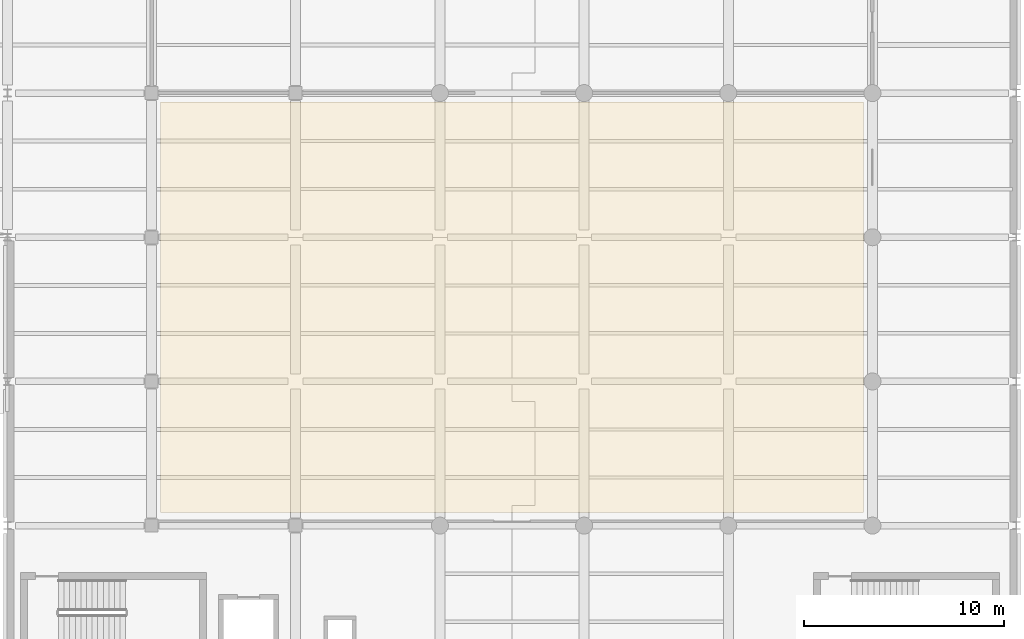
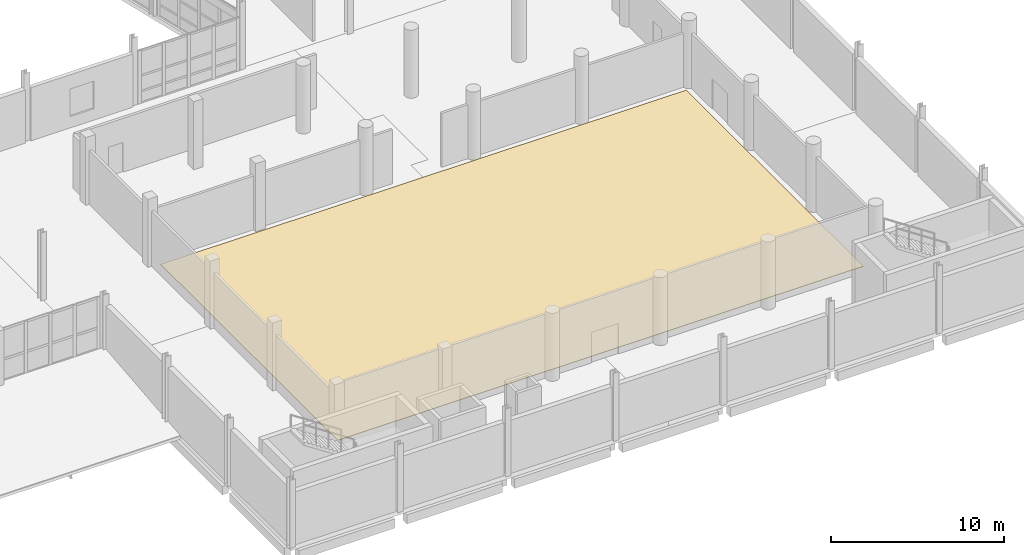
# One storey, part 123 of 127: 1 covering.
"""IFC4 building model written with IfcOpenShell, lengths in metres."""

import ifcopenshell
import ifcopenshell.guid

model = None  # the IFC model being written
_history = None  # IfcOwnerHistory: only IFC2X3 demands one
_inside = {}  # id of a spatial element -> (the spatial element, [elements in it])
_under = {}  # id of a project, library or spatial element -> (it, [spatial elements below it])
_declared = {}  # id of a project -> (the project, [libraries it declares])
_typed = {}  # id of a type object -> (the type object, [elements of that type])
_made_of = {}  # id of a material, layer set ... -> (it, [elements and type objects made of it])


def new_model(schema):
    """Start an empty IFC model of exactly this schema.

    Asked for "IFC4X3", IfcOpenShell would pick the latest addendum, in which some entities
    have other attributes; the version numbers below select the first issue.
    IFC2X3 requires an IfcOwnerHistory on every rooted entity: one is made here for all.
    """
    global model, _history
    if schema == "IFC4X3":
        model = ifcopenshell.file(schema_version=(4, 3, 0, 0))
    else:
        model = ifcopenshell.file(schema=schema)
    _inside.clear()
    _under.clear()
    _declared.clear()
    _typed.clear()
    _made_of.clear()
    _history = None
    if model.schema == "IFC2X3":
        org = make("IfcOrganization", Name="unknown")
        user = make(
            "IfcPersonAndOrganization",
            ThePerson=make("IfcPerson", FamilyName="unknown"),
            TheOrganization=org,
        )
        app = make(
            "IfcApplication",
            ApplicationDeveloper=org,
            Version="unknown",
            ApplicationFullName="unknown",
            ApplicationIdentifier="unknown",
        )
        _history = make(
            "IfcOwnerHistory",
            OwningUser=user,
            OwningApplication=app,
            ChangeAction="ADDED",
            CreationDate=0,
        )
    return model


def make(cls, **values):
    """One entity of the class cls with the attributes given. An attribute that is None is left unset."""
    return model.create_entity(
        cls, **{name: value for name, value in values.items() if value is not None}
    )


def rooted(cls, **values):
    """An entity with a GlobalId (a new one), such as an element, a storey or a relation."""
    return make(cls, GlobalId=ifcopenshell.guid.new(), OwnerHistory=_history, **values)


def si_unit(unit_type, name, prefix=None):
    """IfcSIUnit, for example si_unit("LENGTHUNIT", "METRE", prefix="MILLI")."""
    return make("IfcSIUnit", UnitType=unit_type, Prefix=prefix, Name=name)


def assignment(units):
    """IfcUnitAssignment: the units of a project."""
    return None if units is None else make("IfcUnitAssignment", Units=units)


def point(xyz):
    """IfcCartesianPoint."""
    return None if xyz is None else make("IfcCartesianPoint", Coordinates=xyz)


def direction(xyz):
    """IfcDirection."""
    return None if xyz is None else make("IfcDirection", DirectionRatios=xyz)


def frame(location, z_axis=None, x_axis=None):
    """IfcAxis2Placement3D, a coordinate frame: its origin and axes. An axis left out is left unset."""
    return make(
        "IfcAxis2Placement3D",
        Location=point(location),
        Axis=direction(z_axis),
        RefDirection=direction(x_axis),
    )


def origin():
    """The frame at (0, 0, 0) with its axes left unset."""
    return frame((0.0, 0.0, 0.0))


def place(relative_to, where):
    """IfcLocalPlacement: puts the frame where relative to a parent placement (None: the world)."""
    return make(
        "IfcLocalPlacement", PlacementRelTo=relative_to, RelativePlacement=where
    )


def context(
    kind, dimensions, precision=None, world=None, true_north=None, identifier=None
):
    """IfcGeometricRepresentationContext, for example the 3D "Model" context."""
    return make(
        "IfcGeometricRepresentationContext",
        ContextIdentifier=identifier,
        ContextType=kind,
        CoordinateSpaceDimension=dimensions,
        Precision=precision,
        WorldCoordinateSystem=world,
        TrueNorth=true_north,
    )


def subcontext(parent, identifier, kind, view, scale=None):
    """IfcGeometricRepresentationSubContext, for example "Body" below "Model"."""
    return make(
        "IfcGeometricRepresentationSubContext",
        ContextIdentifier=identifier,
        ContextType=kind,
        ParentContext=parent,
        TargetScale=scale,
        TargetView=view,
    )


def project(units=None, contexts=None):
    """IfcProject with its units and contexts."""
    return rooted(
        "IfcProject",
        Name="project",
        RepresentationContexts=contexts,
        UnitsInContext=assignment(units),
    )


def spatial(cls, under=None, at=None, **own):
    """A site, building, storey or space (cls), placed at a placement, below another one or the project."""
    s = rooted(cls, ObjectPlacement=at, **own)
    if under is not None:
        _under.setdefault(under.id(), (under, []))[1].append(s)
    return s


def polyline(points):
    """IfcPolyline through the points."""
    return make("IfcPolyline", Points=[point(p) for p in points])


def outline(outer, holes=None, kind="AREA"):
    """IfcArbitraryClosedProfileDef: a profile drawn as a closed curve; with holes, ...WithVoids."""
    if holes is None:
        return make("IfcArbitraryClosedProfileDef", ProfileType=kind, OuterCurve=outer)
    return make(
        "IfcArbitraryProfileDefWithVoids",
        ProfileType=kind,
        OuterCurve=outer,
        InnerCurves=holes,
    )


def extrude(swept, where, along, depth):
    """IfcExtrudedAreaSolid: the profile swept, set in the frame where, extruded along a direction by depth."""
    return make(
        "IfcExtrudedAreaSolid",
        SweptArea=swept,
        Position=where,
        ExtrudedDirection=direction(along),
        Depth=depth,
    )


def shape(context_of_items, identifier, shape_type, items):
    """IfcShapeRepresentation: the items that make up one representation, for example the "Body"."""
    return make(
        "IfcShapeRepresentation",
        ContextOfItems=context_of_items,
        RepresentationIdentifier=identifier,
        RepresentationType=shape_type,
        Items=items,
    )


def material(Name=None, Category=None):
    """IfcMaterial."""
    return make("IfcMaterial", Name=Name, Category=Category)


def layer(
    of_material, thickness, ventilated=None, Name=None, Category=None, Priority=None
):
    """IfcMaterialLayer: one layer of a wall or slab, of a material (None: an air gap)."""
    return make(
        "IfcMaterialLayer",
        Material=of_material,
        LayerThickness=thickness,
        IsVentilated=ventilated,
        Name=Name,
        Category=Category,
        Priority=Priority,
    )


def layer_set(layers, Name=None):
    """IfcMaterialLayerSet."""
    return make("IfcMaterialLayerSet", MaterialLayers=layers, LayerSetName=Name)


def made_of(thing, what):
    """Note that an element or type object is made of a material, layer set ...; save() writes the relation."""
    if what is not None:
        _made_of.setdefault(what.id(), (what, []))[1].append(thing)
    return thing


def type_object(cls, material=None, **own):
    """A type object (cls), such as IfcWallType, which elements share."""
    return made_of(rooted(cls, **own), material)


def element(
    cls,
    number,
    at=None,
    inside=None,
    cuts=None,
    type_object=None,
    material=None,
    context=None,
    identifier="Body",
    shape_type=None,
    held_by="IfcProductDefinitionShape",
    body=None,
    shapes=None,
    **own,
):
    """One element of the class cls, such as IfcWall. Its Tag is "e" and its number.

    at: its placement. inside: the storey or other place that contains it. cuts: it is an
    opening in that element (IfcRelVoidsElement). A single representation is given by context,
    identifier, shape_type and body (its items); several are given by shapes. held_by: the class
    of the entity that holds the representations. save() writes the other relations.
    """
    e = rooted(cls, Tag="e%d" % number, ObjectPlacement=at, **own)
    if body is not None:
        shapes = [shape(context, identifier, shape_type, body)]
    if shapes is not None:
        e.Representation = make(held_by, Representations=shapes)
    if inside is not None:
        _inside.setdefault(inside.id(), (inside, []))[1].append(e)
    if cuts is not None:
        rooted(
            "IfcRelVoidsElement", RelatingBuildingElement=cuts, RelatedOpeningElement=e
        )
    if type_object is not None:
        _typed.setdefault(type_object.id(), (type_object, []))[1].append(e)
    return made_of(e, material)


def aggregate(whole, parts):
    """IfcRelAggregates: a whole, such as a stair, and the parts it consists of."""
    return rooted("IfcRelAggregates", RelatingObject=whole, RelatedObjects=parts)


def save(model, path):
    """Write the relations noted so far, then the file.

    IfcRelAggregates (storeys below a building ...), IfcRelContainedInSpatialStructure (elements
    in a storey), IfcRelDefinesByType, IfcRelAssociatesMaterial and IfcRelDeclares: one each for
    every whole, place, type object, material and project.
    """
    for whole, parts in _under.values():
        aggregate(whole, parts)
    for where, things in _inside.values():
        rooted(
            "IfcRelContainedInSpatialStructure",
            RelatedElements=things,
            RelatingStructure=where,
        )
    for kind, things in _typed.values():
        rooted("IfcRelDefinesByType", RelatedObjects=things, RelatingType=kind)
    for what, things in _made_of.values():
        rooted("IfcRelAssociatesMaterial", RelatedObjects=things, RelatingMaterial=what)
    for by, libraries in _declared.values():
        rooted("IfcRelDeclares", RelatingContext=by, RelatedDefinitions=libraries)
    model.write(path)


model = new_model("IFC4")

# Units and contexts
model_context = context("Model", 3, precision=1e-05, world=origin(), true_north=direction((0.0, 1.0)))
body_context = subcontext(model_context, "Body", "Model", "MODEL_VIEW")
ifc_project = project(units=[si_unit("LENGTHUNIT", "METRE"), si_unit("AREAUNIT", "SQUARE_METRE"), si_unit("VOLUMEUNIT", "CUBIC_METRE"), si_unit("PLANEANGLEUNIT", "RADIAN"), si_unit("MASSUNIT", "GRAM", prefix="KILO")], contexts=[model_context])

# Site, building, storey
site_placement = place(None, origin())
site = spatial("IfcSite", under=ifc_project, at=site_placement, CompositionType="ELEMENT")
building_placement = place(site_placement, origin())
building = spatial("IfcBuilding", under=site, at=building_placement, Name="Kalmorath City Hall", CompositionType="ELEMENT")
storey_placement = place(building_placement, frame((0.0, 0.0, 5.39990234375)))
storey = spatial("IfcBuildingStorey", under=building, at=storey_placement, Name="L01", CompositionType="ELEMENT", Elevation=5.39990234375)

# Covering
ifc_material = material(Name="Polished terrazzo finish")
ifc_layer = layer(ifc_material, 0.034912109375)
ifc_layer_set = layer_set([ifc_layer], Name="Polished terrazzo finish")
covering_type = type_object("IfcCoveringType", Name="Polished civic terrazzo floor finish 35", PredefinedType="FLOORING", material=ifc_layer_set)
covering_placement = place(storey_placement, origin())
element("IfcCovering", 1, at=covering_placement, inside=storey, type_object=covering_type, Name="L01 Council Chamber terrazzo flooring", PredefinedType="FLOORING", context=body_context, shape_type="SweptSolid", body=[
    extrude(outline(polyline([(157.949951171875, 7.85009765625), (122.85009765625, 7.85009765625), (122.85009765625, 28.35009765625), (157.949951171875, 28.35009765625), (157.949951171875, 7.85009765625)])), origin(), (0.0, 0.0, 1.0), 0.03515625),
])

save(model, "model.ifc")
